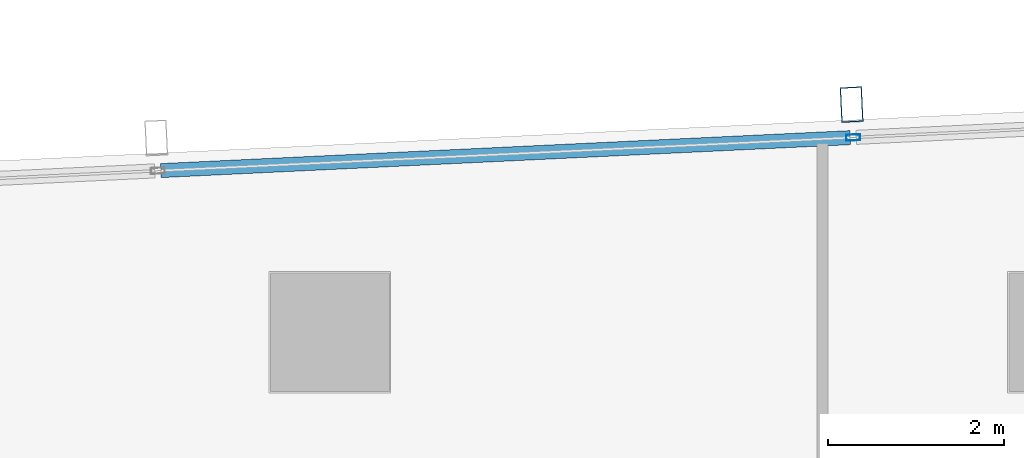
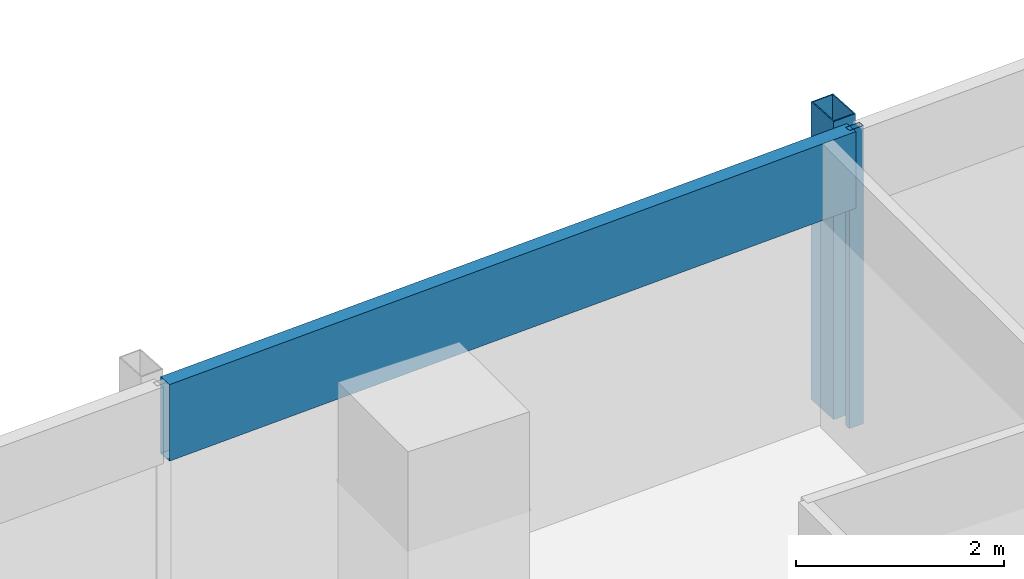
# One storey, part 17 of 39: 3 members, 1 element without a shape of its own.
"""IFC4 building model written with IfcOpenShell, lengths in metres."""

from ifc_helpers import new_model, si_unit, direction, frame, origin, origin_2d, place, context, subcontext, project, spatial, hollow_rectangle, extrude, material, material_profile, profile_set, type_object, element, aggregate, save


model = new_model("IFC4")

# Units and contexts
model_context = context("Model", 3, precision=1e-05, world=origin(), true_north=direction((0.0, 1.0)))
body_context = subcontext(model_context, "Body", "Model", "MODEL_VIEW")
ifc_project = project(units=[si_unit("LENGTHUNIT", "METRE"), si_unit("AREAUNIT", "SQUARE_METRE"), si_unit("VOLUMEUNIT", "CUBIC_METRE"), si_unit("PLANEANGLEUNIT", "RADIAN"), si_unit("MASSUNIT", "GRAM", prefix="KILO")], contexts=[model_context])

# Site, building, storey
site_placement = place(None, origin())
site = spatial("IfcSite", under=ifc_project, at=site_placement, CompositionType="ELEMENT")
building_placement = place(site_placement, origin())
building = spatial("IfcBuilding", under=site, at=building_placement, Name="Rekha Terrace Tower", CompositionType="ELEMENT")
storey_placement = place(building_placement, frame((0.0, 0.0, 221.449951171875)))
storey = spatial("IfcBuildingStorey", under=building, at=storey_placement, Name="L56", CompositionType="ELEMENT", Elevation=221.449951171875)

# Curtain wall, members
ifc_material_1 = material(Name="Aluminium framing", Category="aluminium")
curtain_wall_type = type_object("IfcCurtainWallType", Name="CW3 north unitised glazing", PredefinedType="USERDEFINED", material=ifc_material_1)
curtain_wall_placement = place(storey_placement, origin())
curtain_wall = element("IfcCurtainWall", 1, at=curtain_wall_placement, inside=storey, type_object=curtain_wall_type, Name="CW3 unitised curtain wall", ObjectType="UNITISED CURTAIN WALL", PredefinedType="USERDEFINED")
ifc_material_2 = material(Name="Steel S355 with fluorocarbon finish", Category="steel")
ifc_material_profile_1 = material_profile(ifc_material_2, hollow_rectangle(XDim=0.25, YDim=0.39990234375, WallThickness=0.012451171875, at=origin_2d()), Name="RHS400x250x12.5")
ifc_profile_set_1 = profile_set([ifc_material_profile_1], Name="Steel S355 with fluorocarbon finish")
member_type_1 = type_object("IfcMemberType", Name="BL1 facade blade RHS 400 x 250", PredefinedType="USERDEFINED", material=ifc_profile_set_1)
member_1_placement = place(storey_placement, frame((22.734130859375, 61.389404296875, 0.0), z_axis=(0.0, 0.0, 1.0), x_axis=(-0.998858913274, -0.04775846913, 0.0)))
member_1 = element("IfcMember", 2, at=member_1_placement, type_object=member_type_1, Name="Facade blade", ObjectType="FACADE BLADE", PredefinedType="USERDEFINED", context=body_context, shape_type="SweptSolid", body=[
    extrude(hollow_rectangle(XDim=0.25, YDim=0.39990234375, WallThickness=0.012451171875, at=origin_2d()), origin(), (0.0, 0.0, 1.0), 3.5),
])
ifc_material_3 = material(Name="Aluminium mullion section", Category="aluminium")
ifc_material_profile_2 = material_profile(ifc_material_3, hollow_rectangle(XDim=0.070068359375, YDim=0.159912109375, WallThickness=0.00390625, at=origin_2d()), Name="AL RHS 70x160")
ifc_profile_set_2 = profile_set([ifc_material_profile_2], Name="Aluminium mullion section")
member_type_2 = type_object("IfcMemberType", Name="CW3 mullion RHS 70 x 160", PredefinedType="MULLION", material=ifc_profile_set_2)
member_2_placement = place(storey_placement, frame((22.751953125, 61.014892578125, 0.0), z_axis=(0.0, 0.0, 1.0), x_axis=(0.047758616983, -0.998858906204, 0.0)))
member_2 = element("IfcMember", 3, at=member_2_placement, type_object=member_type_2, Name="CW3 mullion 4", PredefinedType="MULLION", context=body_context, shape_type="SweptSolid", body=[
    extrude(hollow_rectangle(XDim=0.070068359375, YDim=0.159912109375, WallThickness=0.00390625, at=origin_2d()), origin(), (0.0, 0.0, 1.0), 3.5),
])
ifc_material_4 = material(Name="Insulated aluminium spandrel box", Category="aluminium")
ifc_material_profile_3 = material_profile(ifc_material_4, hollow_rectangle(XDim=0.159912109375, YDim=0.89990234375, WallThickness=0.0029296875, at=origin_2d()), Name="AL SPANDREL BOX 160x900")
ifc_profile_set_3 = profile_set([ifc_material_profile_3], Name="Insulated aluminium spandrel box")
member_type_3 = type_object("IfcMemberType", Name="CW3 spandrel transom 160 x 900", PredefinedType="USERDEFINED", material=ifc_profile_set_3)
member_3_placement = place(storey_placement, frame((22.717041015625, 61.01318359375, 3.050048828125), z_axis=(-0.998859252362, -0.047751376635, 0.0), x_axis=(0.047751376635, -0.998859252362, 0.0)))
member_3 = element("IfcMember", 4, at=member_3_placement, type_object=member_type_3, Name="CW3 spandrel transom 4", ObjectType="TRANSOM", PredefinedType="USERDEFINED", context=body_context, shape_type="SweptSolid", body=[
    extrude(hollow_rectangle(XDim=0.159912109375, YDim=0.89990234375, WallThickness=0.0029296875, at=origin_2d()), origin(), (0.0, 0.0, 1.0), 7.84814453125),
])
aggregate(curtain_wall, [member_2, member_3, member_1])

save(model, "model.ifc")
